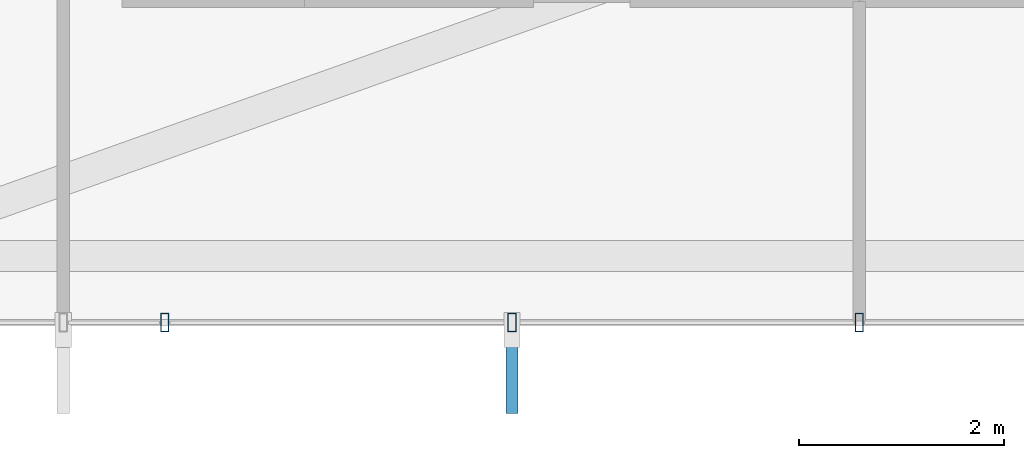
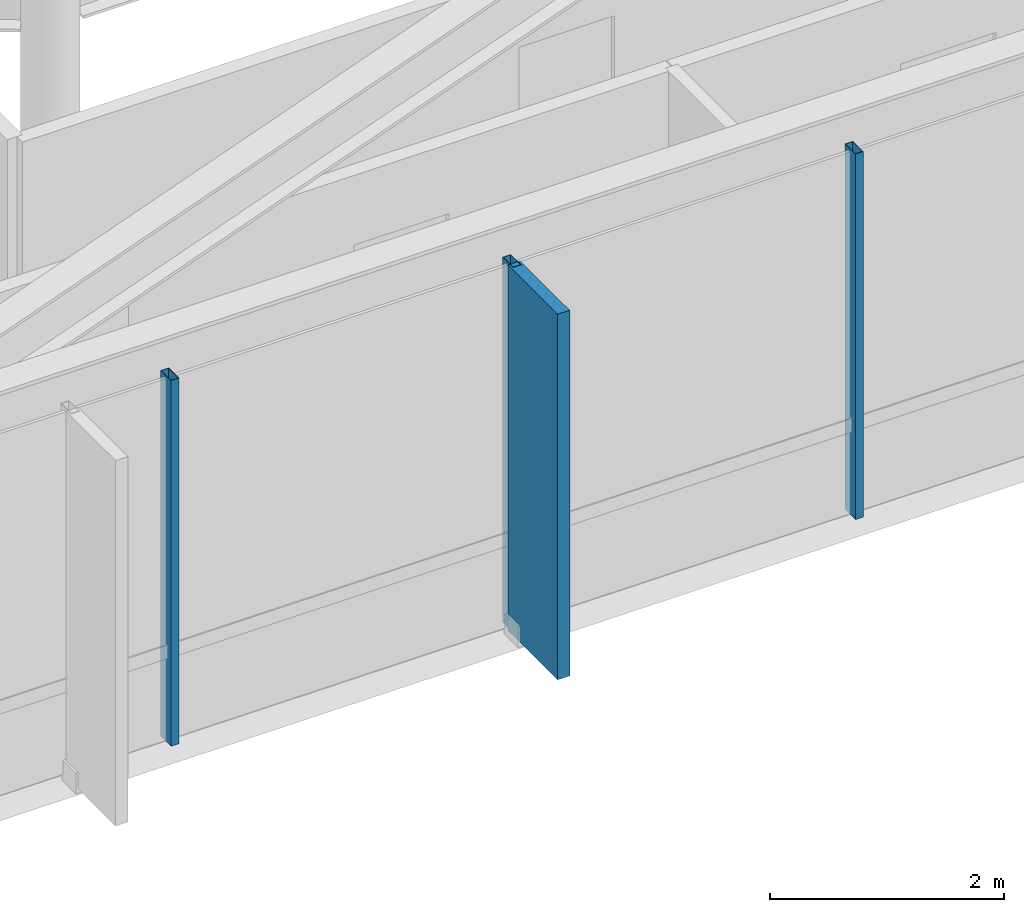
# One storey, part 6 of 24: 4 members, 1 element without a shape of its own.
"""IFC4 building model written with IfcOpenShell, lengths in metres."""

from ifc_helpers import new_model, si_unit, direction, frame, origin, origin_2d, place, context, subcontext, project, spatial, rectangle, hollow_rectangle, extrude, material, layer, layer_set, material_profile, profile_set, type_object, element, aggregate, save


model = new_model("IFC4")

# Units and contexts
model_context = context("Model", 3, precision=1e-05, world=origin(), true_north=direction((0.0, 1.0)))
body_context = subcontext(model_context, "Body", "Model", "MODEL_VIEW")
ifc_project = project(units=[si_unit("LENGTHUNIT", "METRE"), si_unit("AREAUNIT", "SQUARE_METRE"), si_unit("VOLUMEUNIT", "CUBIC_METRE"), si_unit("PLANEANGLEUNIT", "RADIAN"), si_unit("MASSUNIT", "GRAM", prefix="KILO")], contexts=[model_context])

# Site, building, storey
site_placement = place(None, origin())
site = spatial("IfcSite", under=ifc_project, at=site_placement, CompositionType="ELEMENT")
building_placement = place(site_placement, origin())
building = spatial("IfcBuilding", under=site, at=building_placement, Name="Zarrinselat Tower", CompositionType="ELEMENT")
storey_placement = place(building_placement, frame((0.0, 0.0, 76.5)))
storey = spatial("IfcBuildingStorey", under=building, at=storey_placement, Name="L18", CompositionType="ELEMENT", Elevation=76.5)

# Curtain wall, members
ifc_material_1 = material(Name="Extruded Aluminium Alloy EN AW-6063 T6", Category="aluminium")
ifc_layer = layer(ifc_material_1, 0.18505859375)
ifc_layer_set = layer_set([ifc_layer], Name="Extruded Aluminium Alloy EN AW-6063 T6")
curtain_wall_type = type_object("IfcCurtainWallType", Name="CWS-OFF", PredefinedType="NOTDEFINED", material=ifc_layer_set)
curtain_wall_placement = place(storey_placement, origin())
curtain_wall = element("IfcCurtainWall", 1, at=curtain_wall_placement, inside=storey, type_object=curtain_wall_type, Name="L18 Unitised Curtain Wall CW-L18-E04", PredefinedType="NOTDEFINED")
ifc_material_2 = material(Name="Extruded Aluminium Alloy EN AW-6063 T6", Category="aluminium")
ifc_material_profile_1 = material_profile(ifc_material_2, hollow_rectangle(XDim=0.080078125, YDim=0.179931640625, WallThickness=0.0048828125, at=origin_2d()), Name="RHS 180x80x5")
ifc_profile_set_1 = profile_set([ifc_material_profile_1], Name="Extruded Aluminium Alloy EN AW-6063 T6")
member_type_1 = type_object("IfcMemberType", Name="MEM-CW-MUL", PredefinedType="MULLION", material=ifc_profile_set_1)
member_1_placement = place(storey_placement, frame((31.636474609375, 18.60498046875, 0.0), z_axis=(0.0, 0.0, 1.0), x_axis=(1.0, 0.0, 0.0)))
member_1 = element("IfcMember", 2, at=member_1_placement, type_object=member_type_1, Name="CW-L18-E04 Mullion 2", PredefinedType="MULLION", context=body_context, shape_type="SweptSolid", body=[
    extrude(hollow_rectangle(XDim=0.080078125, YDim=0.179931640625, WallThickness=0.0048828125, at=origin_2d()), origin(), (0.0, 0.0, 1.0), 3.820068359375),
])
member_2_placement = place(storey_placement, frame((35.018310546875, 18.60498046875, 0.0), z_axis=(0.0, 0.0, 1.0), x_axis=(1.0, 0.0, 0.0)))
member_2 = element("IfcMember", 3, at=member_2_placement, type_object=member_type_1, Name="CW-L18-E04 Mullion 3", PredefinedType="MULLION", context=body_context, shape_type="SweptSolid", body=[
    extrude(hollow_rectangle(XDim=0.080078125, YDim=0.179931640625, WallThickness=0.0048828125, at=origin_2d()), origin(), (0.0, 0.0, 1.0), 3.820068359375),
])
member_3_placement = place(storey_placement, frame((38.39990234375, 18.60498046875, 0.0), z_axis=(0.0, 0.0, 1.0), x_axis=(1.0, 0.0, 0.0)))
member_3 = element("IfcMember", 4, at=member_3_placement, type_object=member_type_1, Name="CW-L18-E04 Mullion 4", PredefinedType="MULLION", context=body_context, shape_type="SweptSolid", body=[
    extrude(hollow_rectangle(XDim=0.080078125, YDim=0.179931640625, WallThickness=0.0048828125, at=origin_2d()), origin(), (0.0, 0.0, 1.0), 3.820068359375),
])
ifc_material_3 = material(Name="Honed Cream Travertine Stone", Category="masonry")
ifc_material_profile_2 = material_profile(ifc_material_3, rectangle(XDim=0.1201171875, YDim=0.85009765625, at=origin_2d()), Name="FIN 850x120")
ifc_profile_set_2 = profile_set([ifc_material_profile_2], Name="Honed Cream Travertine Stone")
member_type_2 = type_object("IfcMemberType", Name="MEM-STONE-FIN", PredefinedType="USERDEFINED", material=ifc_profile_set_2)
member_4_placement = place(storey_placement, frame((35.018310546875, 18.14501953125, 0.0), z_axis=(0.0, 0.0, 1.0), x_axis=(-1.0, 0.0, 0.0)))
member_4 = element("IfcMember", 5, at=member_4_placement, type_object=member_type_2, Name="L18 Stone Shading Fin CW-L18-E04-03", ObjectType="FIN", PredefinedType="USERDEFINED", context=body_context, shape_type="SweptSolid", body=[
    extrude(rectangle(XDim=0.1201171875, YDim=0.85009765625, at=origin_2d()), origin(), (0.0, 0.0, 1.0), 3.820068359375),
])
aggregate(curtain_wall, [member_1, member_2, member_4, member_3])

save(model, "model.ifc")
